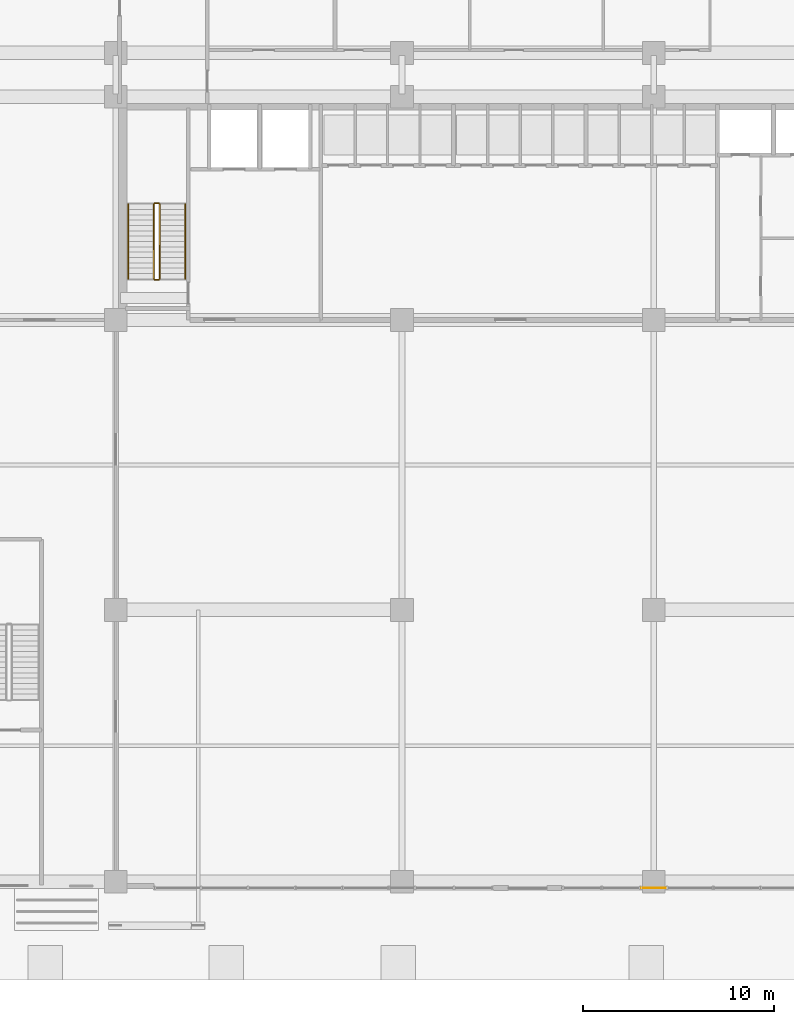
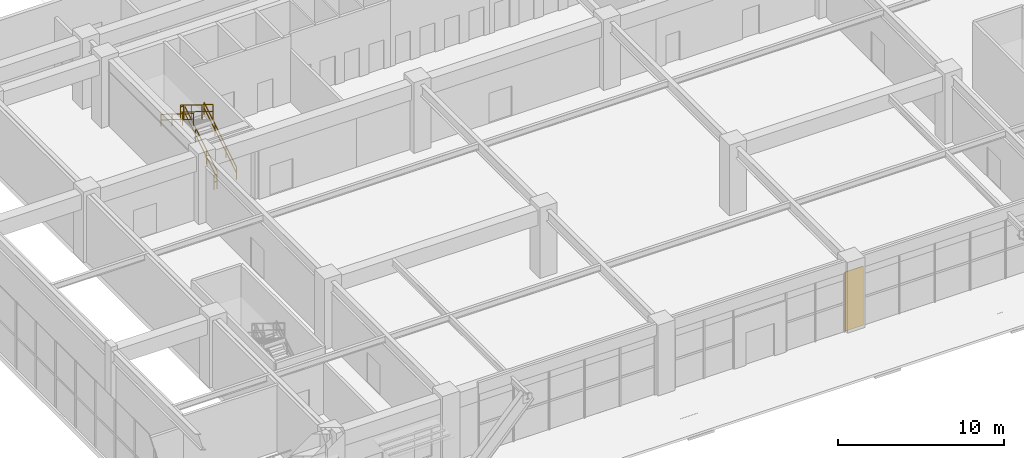
# One storey, part 38 of 40: 6 railings, 1 covering.
"""IFC4 building model written with IfcOpenShell, lengths in metres."""

from ifc_helpers import new_model, si_unit, direction, frame, origin, origin_2d, place, context, subcontext, project, spatial, rectangle, extrude, source, transform, mapped, material, layer, layer_set, type_object, element, save


model = new_model("IFC4")

# Units and contexts
model_context = context("Model", 3, precision=1e-05, world=origin(), true_north=direction((0.0, 1.0)))
body_context = subcontext(model_context, "Body", "Model", "MODEL_VIEW")
ifc_project = project(units=[si_unit("LENGTHUNIT", "METRE"), si_unit("AREAUNIT", "SQUARE_METRE"), si_unit("VOLUMEUNIT", "CUBIC_METRE"), si_unit("PLANEANGLEUNIT", "RADIAN"), si_unit("MASSUNIT", "GRAM", prefix="KILO")], contexts=[model_context])

# Site, building, storey
site_placement = place(None, origin())
site = spatial("IfcSite", under=ifc_project, at=site_placement, CompositionType="ELEMENT")
building_placement = place(site_placement, origin())
building = spatial("IfcBuilding", under=site, at=building_placement, Name="Trelvane Seafront Commons", CompositionType="ELEMENT")
storey_placement = place(building_placement, origin())
storey = spatial("IfcBuildingStorey", under=building, at=storey_placement, Name="L00", CompositionType="ELEMENT", Elevation=0.0)

# Railings
ifc_material_1 = material(Name="Stainless steel balustrade", Category="steel")
railing_type_1 = type_object("IfcRailingType", Name="ARCH-SRL-GUARD", PredefinedType="GUARDRAIL", material=ifc_material_1)
railing_1_placement = place(storey_placement, frame((17.89990234375, 35.550048828125, 0.17333984375)))
element("IfcRailing", 1, at=railing_1_placement, inside=storey, type_object=railing_type_1, Name="L00 ST-1 stair guard 1", PredefinedType="GUARDRAIL", context=body_context, shape_type="SweptSolid", body=[
    extrude(rectangle(XDim=0.048095703125, YDim=0.048095703125, at=origin_2d()), frame((0.0, 0.0, 1.076171875), z_axis=(0.0, 0.850251603719, 0.526376491091), x_axis=(-1.0, 0.0, 0.0)), (0.0, 0.0, 1.0), 4.6103515625),
    extrude(rectangle(XDim=0.048095703125, YDim=0.048095703125, at=origin_2d()), frame((0.0, 0.0, 0.572021484375), z_axis=(0.0, 0.850251603719, 0.526376491091), x_axis=(-1.0, 0.0, 0.0)), (0.0, 0.0, 1.0), 4.6103515625),
    extrude(rectangle(XDim=0.0419921875, YDim=0.0419921875, at=origin_2d()), origin(), (0.0, 0.0, 1.0), 1.076171875),
    extrude(rectangle(XDim=0.0419921875, YDim=0.0419921875, at=origin_2d()), frame((0.0, 1.306640625, 0.808837890625)), (0.0, 0.0, 1.0), 1.076171875),
    extrude(rectangle(XDim=0.0419921875, YDim=0.0419921875, at=origin_2d()), frame((0.0, 2.61328125, 1.617919921875)), (0.0, 0.0, 1.0), 1.076171875),
    extrude(rectangle(XDim=0.0419921875, YDim=0.0419921875, at=origin_2d()), frame((0.0, 3.919921875, 2.4267578125)), (0.0, 0.0, 1.0), 1.076171875),
])
railing_2_placement = place(storey_placement, frame((17.85009765625, 39.52001953125, 2.60009765625)))
element("IfcRailing", 2, at=railing_2_placement, inside=storey, type_object=railing_type_1, Name="L00 ST-1 stair guard 2", PredefinedType="GUARDRAIL", context=body_context, shape_type="SweptSolid", body=[
    extrude(rectangle(XDim=0.048095703125, YDim=0.048095703125, at=origin_2d()), frame((0.0, 0.0, 1.076171875), z_axis=(-1.0, 0.0, 0.0), x_axis=(0.0, -1.0, 0.0)), (0.0, 0.0, 1.0), 0.2001953125),
    extrude(rectangle(XDim=0.048095703125, YDim=0.048095703125, at=origin_2d()), frame((0.0, 0.0, 0.572021484375), z_axis=(-1.0, 0.0, 0.0), x_axis=(0.0, -1.0, 0.0)), (0.0, 0.0, 1.0), 0.2001953125),
    extrude(rectangle(XDim=0.0419921875, YDim=0.0419921875, at=origin_2d()), origin(), (0.0, 0.0, 1.0), 1.076171875),
    extrude(rectangle(XDim=0.0419921875, YDim=0.0419921875, at=origin_2d()), frame((-0.2001953125, 0.0, 0.0)), (0.0, 0.0, 1.0), 1.076171875),
])
railing_3_placement = place(storey_placement, frame((17.60009765625, 39.469970703125, 2.7734375)))
element("IfcRailing", 3, at=railing_3_placement, inside=storey, type_object=railing_type_1, Name="L00 ST-1 stair guard 3", PredefinedType="GUARDRAIL", context=body_context, shape_type="SweptSolid", body=[
    extrude(rectangle(XDim=0.048095703125, YDim=0.048095703125, at=origin_2d()), frame((0.0, 0.0, 1.076171875), z_axis=(0.0, -0.850275303828, 0.526338206574), x_axis=(1.0, 0.0, 0.0)), (0.0, 0.0, 1.0), 4.610107421875),
    extrude(rectangle(XDim=0.048095703125, YDim=0.048095703125, at=origin_2d()), frame((0.0, 0.0, 0.572021484375), z_axis=(0.0, -0.850275303828, 0.526338206574), x_axis=(1.0, 0.0, 0.0)), (0.0, 0.0, 1.0), 4.610107421875),
    extrude(rectangle(XDim=0.0419921875, YDim=0.0419921875, at=origin_2d()), origin(), (0.0, 0.0, 1.0), 1.076171875),
    extrude(rectangle(XDim=0.0419921875, YDim=0.0419921875, at=origin_2d()), frame((0.0, -1.306640625, 0.808837890625)), (0.0, 0.0, 1.0), 1.076171875),
    extrude(rectangle(XDim=0.0419921875, YDim=0.0419921875, at=origin_2d()), frame((0.0, -2.61328125, 1.61767578125)), (0.0, 0.0, 1.0), 1.076171875),
    extrude(rectangle(XDim=0.0419921875, YDim=0.0419921875, at=origin_2d()), frame((0.0, -3.919921875, 2.426513671875)), (0.0, 0.0, 1.0), 1.076171875),
])
railing_4_placement = place(storey_placement, frame((17.85009765625, 35.5, 0.0)))
element("IfcRailing", 4, at=railing_4_placement, inside=storey, type_object=railing_type_1, Name="L00 ST-1 stair guard 4", PredefinedType="GUARDRAIL", context=body_context, shape_type="SweptSolid", body=[
    extrude(rectangle(XDim=0.048095703125, YDim=0.048095703125, at=origin_2d()), frame((0.0, 0.0, 1.076171875), z_axis=(-1.0, 0.0, 0.0), x_axis=(0.0, -1.0, 0.0)), (0.0, 0.0, 1.0), 0.2001953125),
    extrude(rectangle(XDim=0.048095703125, YDim=0.048095703125, at=origin_2d()), frame((0.0, 0.0, 0.572021484375), z_axis=(-1.0, 0.0, 0.0), x_axis=(0.0, -1.0, 0.0)), (0.0, 0.0, 1.0), 0.2001953125),
    extrude(rectangle(XDim=0.0419921875, YDim=0.0419921875, at=origin_2d()), origin(), (0.0, 0.0, 1.0), 1.076171875),
    extrude(rectangle(XDim=0.0419921875, YDim=0.0419921875, at=origin_2d()), frame((-0.2001953125, 0.0, 0.0)), (0.0, 0.0, 1.0), 1.076171875),
])
railing_type_2 = type_object("IfcRailingType", Name="ARCH-SRL-HAND", PredefinedType="HANDRAIL", material=ifc_material_1)
railing_5_placement = place(storey_placement, frame((19.25, 35.550048828125, 0.17333984375)))
element("IfcRailing", 5, at=railing_5_placement, inside=storey, type_object=railing_type_2, Name="L00 ST-1 stair handrail 1", PredefinedType="HANDRAIL", context=body_context, shape_type="SweptSolid", body=[
    extrude(rectangle(XDim=0.048095703125, YDim=0.048095703125, at=origin_2d()), frame((0.0, 0.0, 0.8759765625), z_axis=(0.0, 0.850251603719, 0.526376491091), x_axis=(-1.0, 0.0, 0.0)), (0.0, 0.0, 1.0), 4.6103515625),
    extrude(rectangle(XDim=0.048095703125, YDim=0.048095703125, at=origin_2d()), frame((0.0, 0.0, 0.468017578125), z_axis=(0.0, 0.850251603719, 0.526376491091), x_axis=(-1.0, 0.0, 0.0)), (0.0, 0.0, 1.0), 4.6103515625),
    extrude(rectangle(XDim=0.0419921875, YDim=0.0419921875, at=origin_2d()), origin(), (0.0, 0.0, 1.0), 0.8759765625),
    extrude(rectangle(XDim=0.0419921875, YDim=0.0419921875, at=origin_2d()), frame((0.0, 1.306640625, 0.808837890625)), (0.0, 0.0, 1.0), 0.8759765625),
    extrude(rectangle(XDim=0.0419921875, YDim=0.0419921875, at=origin_2d()), frame((0.0, 2.61328125, 1.617919921875)), (0.0, 0.0, 1.0), 0.8759765625),
    extrude(rectangle(XDim=0.0419921875, YDim=0.0419921875, at=origin_2d()), frame((0.0, 3.919921875, 2.4267578125)), (0.0, 0.0, 1.0), 0.8759765625),
])
railing_6_placement = place(storey_placement, frame((16.25, 39.469970703125, 2.7734375)))
element("IfcRailing", 6, at=railing_6_placement, inside=storey, type_object=railing_type_2, Name="L00 ST-1 stair handrail 2", PredefinedType="HANDRAIL", context=body_context, shape_type="SweptSolid", body=[
    extrude(rectangle(XDim=0.048095703125, YDim=0.048095703125, at=origin_2d()), frame((0.0, 0.0, 0.8759765625), z_axis=(0.0, -0.850275303828, 0.526338206574), x_axis=(1.0, 0.0, 0.0)), (0.0, 0.0, 1.0), 4.610107421875),
    extrude(rectangle(XDim=0.048095703125, YDim=0.048095703125, at=origin_2d()), frame((0.0, 0.0, 0.468017578125), z_axis=(0.0, -0.850275303828, 0.526338206574), x_axis=(1.0, 0.0, 0.0)), (0.0, 0.0, 1.0), 4.610107421875),
    extrude(rectangle(XDim=0.0419921875, YDim=0.0419921875, at=origin_2d()), origin(), (0.0, 0.0, 1.0), 0.8759765625),
    extrude(rectangle(XDim=0.0419921875, YDim=0.0419921875, at=origin_2d()), frame((0.0, -1.306640625, 0.808837890625)), (0.0, 0.0, 1.0), 0.8759765625),
    extrude(rectangle(XDim=0.0419921875, YDim=0.0419921875, at=origin_2d()), frame((0.0, -2.61328125, 1.61767578125)), (0.0, 0.0, 1.0), 0.8759765625),
    extrude(rectangle(XDim=0.0419921875, YDim=0.0419921875, at=origin_2d()), frame((0.0, -3.919921875, 2.426513671875)), (0.0, 0.0, 1.0), 0.8759765625),
])

# Covering
ifc_material_2 = material(Name="Anodised pale-silver aluminium", Category="aluminium")
ifc_layer = layer(ifc_material_2, 0.034912109375, Name="ARCH-COV-CLAD35")
ifc_layer_set = layer_set([ifc_layer], Name="Anodised pale-silver aluminium")
covering_type = type_object("IfcCoveringType", Name="ARCH-COV-CLAD35", PredefinedType="CLADDING", material=ifc_layer_set)
shared_shape = source(origin(), body_context, "Body", "SweptSolid", [
    extrude(rectangle(XDim=1.300048828125, YDim=0.0400390625, at=origin_2d()), origin(), (0.0, 0.0, 1.0), 4.360107421875),
])
covering_placement = place(storey_placement, frame((43.800048828125, 3.6201171875, 0.0), z_axis=(0.0, 0.0, 1.0), x_axis=(-1.0, 0.0, 0.0)))
element("IfcCovering", 7, at=covering_placement, inside=storey, type_object=covering_type, Name="CLD-COL-L00-00001", PredefinedType="CLADDING", context=body_context, shape_type="MappedRepresentation", body=[
    mapped(shared_shape, transform((0.0, 0.0, 0.0), x_axis=(1.0, 0.0, 0.0), y_axis=(0.0, 1.0, 0.0), z_axis=(0.0, 0.0, 1.0), scale=1.0)),
])

save(model, "model.ifc")
